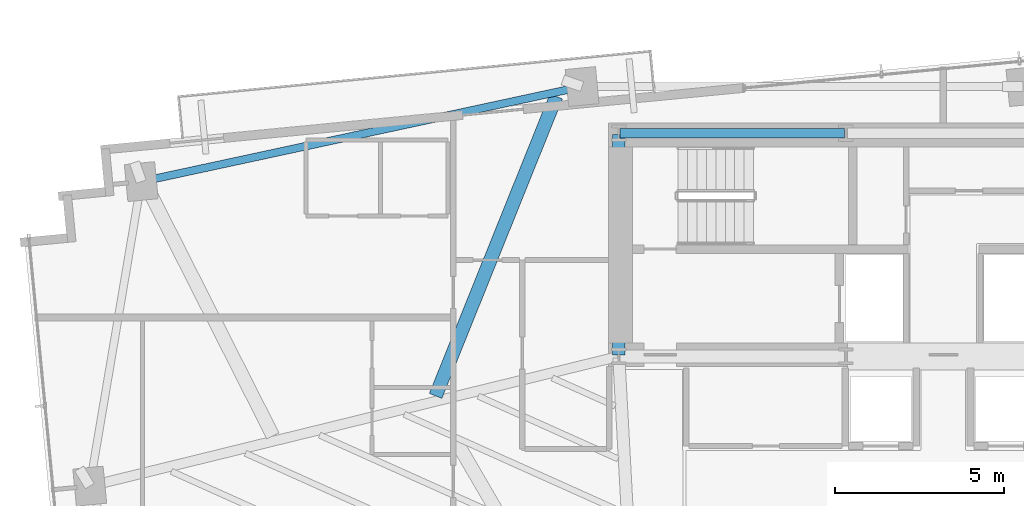
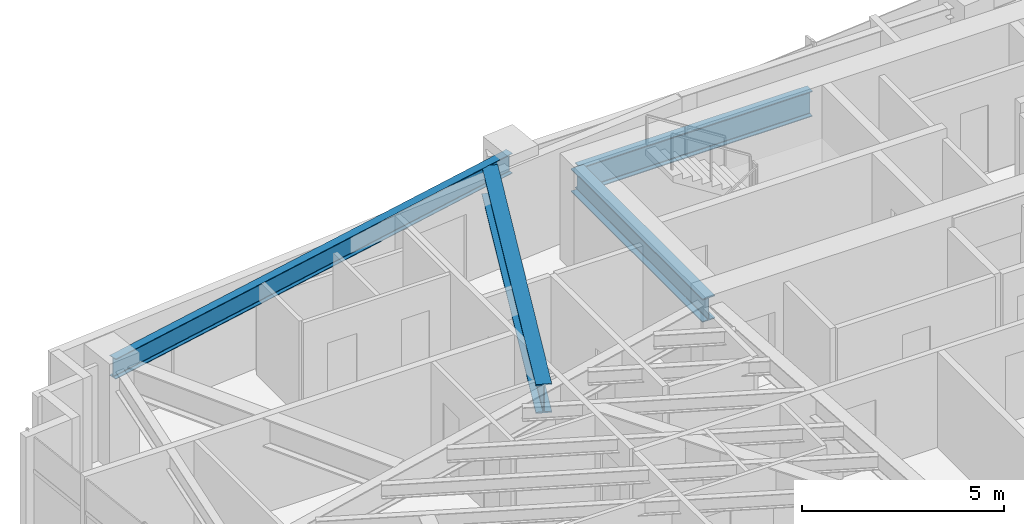
# One storey, part 9 of 27: 4 beams.
"""IFC4 building model written with IfcOpenShell, lengths in metres."""

from ifc_helpers import new_model, si_unit, direction, frame, origin, origin_2d, place, context, subcontext, project, spatial, i_section, extrude, source, transform, mapped, material, material_profile, profile_set, type_object, type_shapes, element, save


model = new_model("IFC4")

# Units and contexts
model_context = context("Model", 3, precision=1e-05, world=origin(), true_north=direction((0.0, 1.0)))
body_context = subcontext(model_context, "Body", "Model", "MODEL_VIEW")
ifc_project = project(units=[si_unit("LENGTHUNIT", "METRE"), si_unit("AREAUNIT", "SQUARE_METRE"), si_unit("VOLUMEUNIT", "CUBIC_METRE"), si_unit("PLANEANGLEUNIT", "RADIAN"), si_unit("MASSUNIT", "GRAM", prefix="KILO")], contexts=[model_context])

# Site, building, storey
site_placement = place(None, origin())
site = spatial("IfcSite", under=ifc_project, at=site_placement, CompositionType="ELEMENT")
building_placement = place(site_placement, origin())
building = spatial("IfcBuilding", under=site, at=building_placement, Name="Astriad Promenade Condominiums", CompositionType="ELEMENT")
storey_placement = place(building_placement, frame((0.0, 0.0, 116.199951171875)))
storey = spatial("IfcBuildingStorey", under=building, at=storey_placement, Name="L33", CompositionType="ELEMENT", Elevation=116.199951171875)

# Beams
ifc_material = material(Name="Steel ASTM A992 Grade 50", Category="steel")
ifc_material_profile_1 = material_profile(ifc_material, i_section(OverallWidth=0.267822265625, OverallDepth=0.76953125, WebThickness=0.015625, FlangeThickness=0.025390625, FilletRadius=0.021484375, at=origin_2d()), Name="W30X132")
ifc_profile_set_1 = profile_set([ifc_material_profile_1], Name="Steel ASTM A992 Grade 50")
beam_type_1 = type_object("IfcBeamType", Name="STEEL FLOOR GIRDER W30X132", PredefinedType="BEAM", material=ifc_profile_set_1)
shared_shape_1 = source(origin(), body_context, "Body", "SweptSolid", [
    extrude(i_section(OverallWidth=0.267822265625, OverallDepth=0.76953125, WebThickness=0.015625, FlangeThickness=0.025390625, FilletRadius=0.021484375, at=origin_2d()), origin(), (0.0, 0.0, 1.0), 6.64013671875),
])
type_shapes(beam_type_1, [shared_shape_1])
beam_1_placement = place(storey_placement, frame((26.43994140625, 24.0, 2.51513671875), z_axis=(1.0, 0.0, 0.0), x_axis=(0.0, 1.0, 0.0)))
element("IfcBeam", 1, at=beam_1_placement, inside=storey, type_object=beam_type_1, Name="Core Ring Beam CG-N1-L33", PredefinedType="BEAM", context=body_context, shape_type="MappedRepresentation", body=[
    mapped(shared_shape_1, transform((0.0, 0.0, 0.0), scale=1.0)),
])
ifc_material_profile_2 = material_profile(ifc_material, i_section(OverallWidth=0.35791015625, OverallDepth=0.706298828125, WebThickness=0.018310546875, FlangeThickness=0.0302734375, FilletRadius=0.020263671875, at=origin_2d()), Name="W27X178")
ifc_profile_set_2 = profile_set([ifc_material_profile_2], Name="Steel ASTM A992 Grade 50")
beam_type_2 = type_object("IfcBeamType", Name="STEEL FLOOR GIRDER W27X178", PredefinedType="BEAM", material=ifc_profile_set_2)
shared_shape_2 = source(origin(), body_context, "Body", "SweptSolid", [
    extrude(i_section(OverallWidth=0.35791015625, OverallDepth=0.706298828125, WebThickness=0.018310546875, FlangeThickness=0.0302734375, FilletRadius=0.020263671875, at=origin_2d()), origin(), (0.0, 0.0, 1.0), 6.52001953125),
])
type_shapes(beam_type_2, [shared_shape_2])
beam_2_placement = place(storey_placement, frame((26.39990234375, 17.43994140625, 2.546875), z_axis=(0.0, 1.0, 0.0), x_axis=(-1.0, 0.0, 0.0)))
element("IfcBeam", 2, at=beam_2_placement, inside=storey, type_object=beam_type_2, Name="Core Ring Beam CG-W1-L33", PredefinedType="BEAM", context=body_context, shape_type="MappedRepresentation", body=[
    mapped(shared_shape_2, transform((0.0, 0.0, 0.0), scale=1.0)),
])
ifc_material_profile_3 = material_profile(ifc_material, i_section(OverallWidth=0.22900390625, OverallDepth=0.612060546875, WebThickness=0.011962890625, FlangeThickness=0.01953125, FilletRadius=0.017822265625, at=origin_2d()), Name="W24X84")
ifc_profile_set_3 = profile_set([ifc_material_profile_3], Name="Steel ASTM A992 Grade 50")
beam_type_3 = type_object("IfcBeamType", Name="STEEL SPANDREL BEAM W24X84", PredefinedType="SPANDREL", material=ifc_profile_set_3)
shared_shape_3 = source(origin(), body_context, "Body", "SweptSolid", [
    extrude(i_section(OverallWidth=0.22900390625, OverallDepth=0.612060546875, WebThickness=0.011962890625, FlangeThickness=0.01953125, FilletRadius=0.017822265625, at=origin_2d()), origin(), (0.0, 0.0, 1.0), 13.25927734375),
])
type_shapes(beam_type_3, [shared_shape_3])
beam_3_placement = place(storey_placement, frame((25.27587890625, 25.37158203125, 2.593994140625), z_axis=(-0.977531608864, -0.210788884127, 0.0), x_axis=(0.210788884127, -0.977531608864, 0.0)))
element("IfcBeam", 3, at=beam_3_placement, inside=storey, type_object=beam_type_3, Name="Perimeter Spandrel Beam SP-N1-L33", PredefinedType="SPANDREL", context=body_context, shape_type="MappedRepresentation", body=[
    mapped(shared_shape_3, transform((0.0, 0.0, 0.0), scale=1.0)),
])
ifc_material_profile_4 = material_profile(ifc_material, i_section(OverallWidth=0.4013671875, OverallDepth=0.877197265625, WebThickness=0.022216796875, FlangeThickness=0.039794921875, FilletRadius=0.02294921875, at=origin_2d()), Name="W33X263")
ifc_profile_set_4 = profile_set([ifc_material_profile_4], Name="Steel ASTM A992 Grade 50")
beam_type_4 = type_object("IfcBeamType", Name="STEEL TRANSFER CARRIER GIRDER W33X263", PredefinedType="BEAM", material=ifc_profile_set_4)
shared_shape_4 = source(origin(), body_context, "Body", "SweptSolid", [
    extrude(i_section(OverallWidth=0.4013671875, OverallDepth=0.877197265625, WebThickness=0.022216796875, FlangeThickness=0.039794921875, FilletRadius=0.02294921875, at=origin_2d()), origin(), (0.0, 0.0, 1.0), 9.551513671875),
])
type_shapes(beam_type_4, [shared_shape_4])
beam_4_placement = place(storey_placement, frame((20.982421875, 16.2294921875, 2.46142578125), z_axis=(0.373540282688, 0.92761395915, 0.0), x_axis=(-0.92761395915, 0.373540282688, 0.0)))
element("IfcBeam", 4, at=beam_4_placement, inside=storey, type_object=beam_type_4, Name="Transfer Splice Carrier TRM-SP-PC07-L33", PredefinedType="BEAM", context=body_context, shape_type="MappedRepresentation", body=[
    mapped(shared_shape_4, transform((0.0, 0.0, 0.0), scale=1.0)),
])

save(model, "model.ifc")
